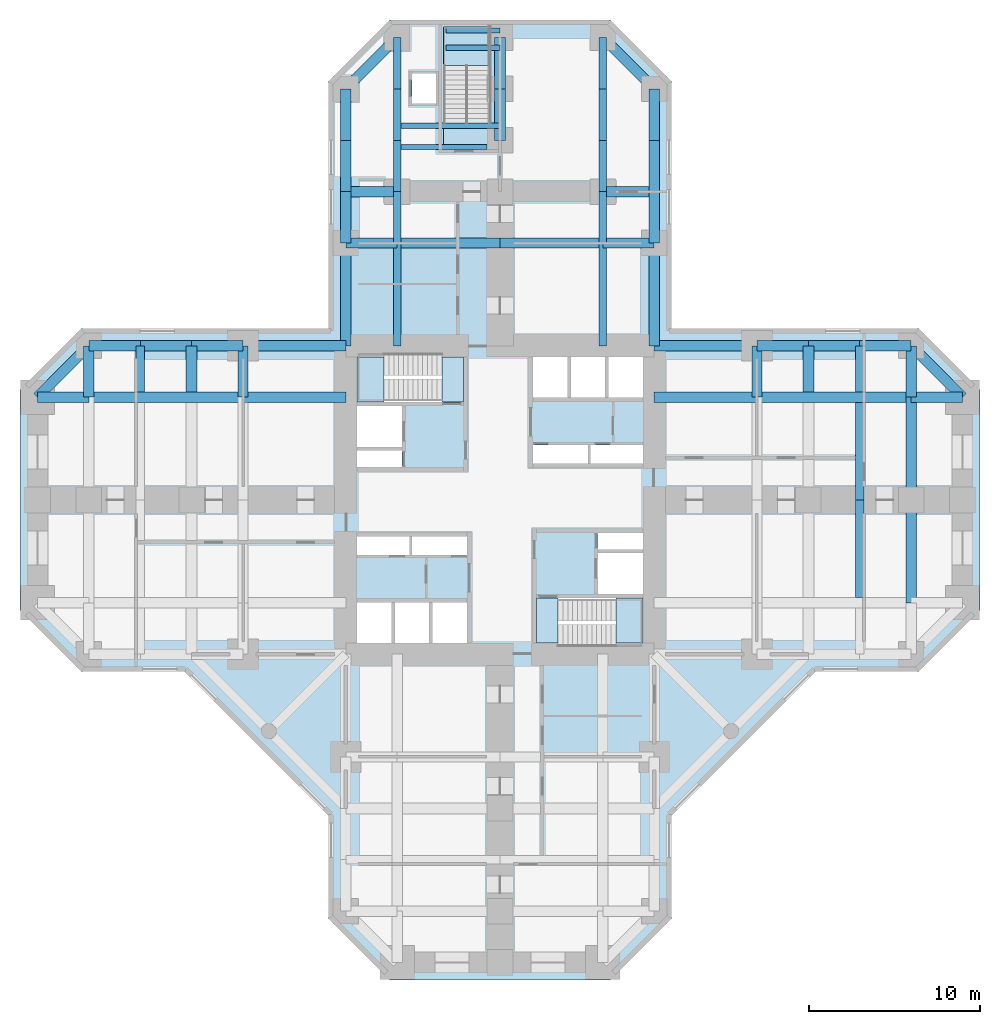
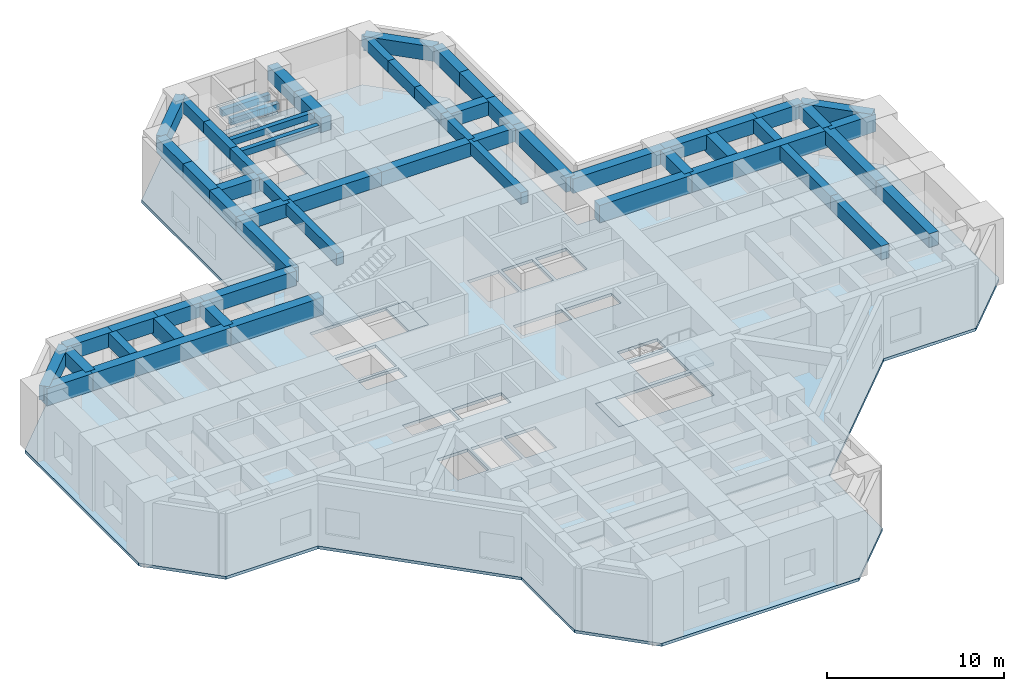
# One storey, part 2 of 8: 60 beams, 7 slabs, 3 elements without a shape of their own.
"""IFC4 building model written with IfcOpenShell, lengths in metres."""

from ifc_helpers import new_model, si_unit, direction, frame, origin, origin_2d, place, context, subcontext, project, spatial, polyline, rectangle, outline, extrude, material, layer, layer_set, material_profile, profile_set, type_object, element, aggregate, save


model = new_model("IFC4")

# Units and contexts
model_context = context("Model", 3, precision=1e-05, world=origin(), true_north=direction((0.0, 1.0)))
body_context = subcontext(model_context, "Body", "Model", "MODEL_VIEW")
ifc_project = project(units=[si_unit("LENGTHUNIT", "METRE"), si_unit("AREAUNIT", "SQUARE_METRE"), si_unit("VOLUMEUNIT", "CUBIC_METRE"), si_unit("PLANEANGLEUNIT", "RADIAN"), si_unit("MASSUNIT", "GRAM", prefix="KILO")], contexts=[model_context])

# Site, building, storey
site_placement = place(None, origin())
site = spatial("IfcSite", under=ifc_project, at=site_placement, CompositionType="ELEMENT")
building_placement = place(site_placement, origin())
building = spatial("IfcBuilding", under=site, at=building_placement, Name="Torre Cruceta", CompositionType="ELEMENT")
storey_placement = place(building_placement, frame((0.0, 0.0, 9.5)))
storey = spatial("IfcBuildingStorey", under=building, at=storey_placement, Name="L02", CompositionType="ELEMENT", Elevation=9.5)

# Beams
ifc_material_1 = material(Name="Concrete G60 (fck 60 MPa)", Category="concrete")
ifc_material_profile_1 = material_profile(ifc_material_1, rectangle(XDim=0.64990234375, YDim=1.0, at=origin_2d()), Name="RC 650X1000")
ifc_profile_set_1 = profile_set([ifc_material_profile_1], Name="Concrete G60 (fck 60 MPa)")
beam_type_1 = type_object("IfcBeamType", Name="ARM CENTRE BEAM RC 650X1000", PredefinedType="BEAM", material=ifc_profile_set_1)
for number, where, z_axis, x_axis, name in (
    (1, (0.0, 21.0, 3.800048828125), (0.0, 1.0, 0.0), (-1.0, 0.0, 0.0), "MB1 L02 N centre 1"),
    (2, (0.0, 24.0, 3.800048828125), (0.0, 1.0, 0.0), (-1.0, 0.0, 0.0), "MB1 L02 N centre 2"),
):
    element("IfcBeam", number, at=place(storey_placement, frame(where, z_axis=z_axis, x_axis=x_axis)), inside=storey, type_object=beam_type_1, Name=name, PredefinedType="BEAM", context=body_context, shape_type="SweptSolid", body=[
        extrude(rectangle(XDim=0.64990234375, YDim=1.0, at=origin_2d()), origin(), (0.0, 0.0, 1.0), 3.0),
    ])
ifc_material_2 = material(Name="Concrete G60 (fck 60 MPa)", Category="concrete")
ifc_material_profile_2 = material_profile(ifc_material_2, rectangle(XDim=0.449951171875, YDim=0.800048828125, at=origin_2d()), Name="RC 450X800")
ifc_profile_set_2 = profile_set([ifc_material_profile_2], Name="Concrete G60 (fck 60 MPa)")
beam_type_2 = type_object("IfcBeamType", Name="COLUMN LINE BEAM RC 450X800", PredefinedType="BEAM", material=ifc_profile_set_2)
beam_1_placement = place(storey_placement, frame((6.0, 9.0, 3.89990234375), z_axis=(0.0, 1.0, 0.0), x_axis=(-1.0, 0.0, 0.0)))
element("IfcBeam", 3, at=beam_1_placement, inside=storey, type_object=beam_type_2, Name="LB1 L02 N col- 1", PredefinedType="BEAM", context=body_context, shape_type="SweptSolid", body=[
    extrude(rectangle(XDim=0.449951171875, YDim=0.800048828125, at=origin_2d()), origin(), (0.0, 0.0, 1.0), 6.0),
])
for number, where, z_axis, x_axis, name in (
    (4, (6.0, 15.0, 3.89990234375), (0.0, 1.0, 0.0), (-1.0, 0.0, 0.0), "LB1 L02 N col- 2"),
    (5, (6.0, 18.0, 3.89990234375), (0.0, 1.0, 0.0), (-1.0, 0.0, 0.0), "LB1 L02 N col- 3"),
    (6, (6.0, 21.0, 3.89990234375), (0.0, 1.0, 0.0), (-1.0, 0.0, 0.0), "LB1 L02 N col- 4"),
    (7, (6.0, 24.0, 3.89990234375), (0.0, 1.0, 0.0), (-1.0, 0.0, 0.0), "LB1 L02 N col- 5"),
):
    element("IfcBeam", number, at=place(storey_placement, frame(where, z_axis=z_axis, x_axis=x_axis)), inside=storey, type_object=beam_type_2, Name=name, PredefinedType="BEAM", context=body_context, shape_type="SweptSolid", body=[
        extrude(rectangle(XDim=0.449951171875, YDim=0.800048828125, at=origin_2d()), origin(), (0.0, 0.0, 1.0), 3.0),
    ])
beam_2_placement = place(storey_placement, frame((-6.0, 9.0, 3.89990234375), z_axis=(0.0, 1.0, 0.0), x_axis=(-1.0, 0.0, 0.0)))
element("IfcBeam", 8, at=beam_2_placement, inside=storey, type_object=beam_type_2, Name="LB1 L02 N col+ 1", PredefinedType="BEAM", context=body_context, shape_type="SweptSolid", body=[
    extrude(rectangle(XDim=0.449951171875, YDim=0.800048828125, at=origin_2d()), origin(), (0.0, 0.0, 1.0), 6.0),
])
for number, where, z_axis, x_axis, name in (
    (9, (-6.0, 15.0, 3.89990234375), (0.0, 1.0, 0.0), (-1.0, 0.0, 0.0), "LB1 L02 N col+ 2"),
    (10, (-6.0, 18.0, 3.89990234375), (0.0, 1.0, 0.0), (-1.0, 0.0, 0.0), "LB1 L02 N col+ 3"),
    (11, (-6.0, 21.0, 3.89990234375), (0.0, 1.0, 0.0), (-1.0, 0.0, 0.0), "LB1 L02 N col+ 4"),
    (12, (-6.0, 24.0, 3.89990234375), (0.0, 1.0, 0.0), (-1.0, 0.0, 0.0), "LB1 L02 N col+ 5"),
):
    element("IfcBeam", number, at=place(storey_placement, frame(where, z_axis=z_axis, x_axis=x_axis)), inside=storey, type_object=beam_type_2, Name=name, PredefinedType="BEAM", context=body_context, shape_type="SweptSolid", body=[
        extrude(rectangle(XDim=0.449951171875, YDim=0.800048828125, at=origin_2d()), origin(), (0.0, 0.0, 1.0), 3.0),
    ])
ifc_material_3 = material(Name="Concrete G60 (fck 60 MPa)", Category="concrete")
ifc_material_profile_3 = material_profile(ifc_material_3, rectangle(XDim=0.60009765625, YDim=1.199951171875, at=origin_2d()), Name="RC 600X1200")
ifc_profile_set_3 = profile_set([ifc_material_profile_3], Name="Concrete G60 (fck 60 MPa)")
beam_type_3 = type_object("IfcBeamType", Name="COLUMN LINE BEAM RC 600X1200", PredefinedType="BEAM", material=ifc_profile_set_3)
beam_3_placement = place(storey_placement, frame((9.0, 6.0, 3.699951171875), z_axis=(1.0, 0.0, 0.0), x_axis=(0.0, 1.0, 0.0)))
element("IfcBeam", 13, at=beam_3_placement, inside=storey, type_object=beam_type_3, Name="LB2 L02 E col+ 1", PredefinedType="BEAM", context=body_context, shape_type="SweptSolid", body=[
    extrude(rectangle(XDim=0.60009765625, YDim=1.199951171875, at=origin_2d()), origin(), (0.0, 0.0, 1.0), 6.0),
])
beam_4_placement = place(storey_placement, frame((15.0, 6.0, 3.699951171875), z_axis=(1.0, 0.0, 0.0), x_axis=(0.0, 1.0, 0.0)))
element("IfcBeam", 14, at=beam_4_placement, inside=storey, type_object=beam_type_3, Name="LB2 L02 E col+ 2", PredefinedType="BEAM", context=body_context, shape_type="SweptSolid", body=[
    extrude(rectangle(XDim=0.60009765625, YDim=1.199951171875, at=origin_2d()), origin(), (0.0, 0.0, 1.0), 9.0),
])
beam_5_placement = place(storey_placement, frame((24.0, 6.0, 3.699951171875), z_axis=(1.0, 0.0, 0.0), x_axis=(0.0, 1.0, 0.0)))
element("IfcBeam", 15, at=beam_5_placement, inside=storey, type_object=beam_type_3, Name="LB2 L02 E col+ 5", PredefinedType="BEAM", context=body_context, shape_type="SweptSolid", body=[
    extrude(rectangle(XDim=0.60009765625, YDim=1.199951171875, at=origin_2d()), origin(), (0.0, 0.0, 1.0), 3.0),
])
beam_6_placement = place(storey_placement, frame((-9.0, 6.0, 3.699951171875), z_axis=(-1.0, 0.0, 0.0), x_axis=(0.0, -1.0, 0.0)))
element("IfcBeam", 16, at=beam_6_placement, inside=storey, type_object=beam_type_3, Name="LB2 L02 W col- 1", PredefinedType="BEAM", context=body_context, shape_type="SweptSolid", body=[
    extrude(rectangle(XDim=0.60009765625, YDim=1.199951171875, at=origin_2d()), origin(), (0.0, 0.0, 1.0), 6.0),
])
beam_7_placement = place(storey_placement, frame((-15.0, 6.0, 3.699951171875), z_axis=(-1.0, 0.0, 0.0), x_axis=(0.0, -1.0, 0.0)))
element("IfcBeam", 17, at=beam_7_placement, inside=storey, type_object=beam_type_3, Name="LB2 L02 W col- 2", PredefinedType="BEAM", context=body_context, shape_type="SweptSolid", body=[
    extrude(rectangle(XDim=0.60009765625, YDim=1.199951171875, at=origin_2d()), origin(), (0.0, 0.0, 1.0), 9.0),
])
beam_8_placement = place(storey_placement, frame((-24.0, 6.0, 3.699951171875), z_axis=(-1.0, 0.0, 0.0), x_axis=(0.0, -1.0, 0.0)))
element("IfcBeam", 18, at=beam_8_placement, inside=storey, type_object=beam_type_3, Name="LB2 L02 W col- 5", PredefinedType="BEAM", context=body_context, shape_type="SweptSolid", body=[
    extrude(rectangle(XDim=0.60009765625, YDim=1.199951171875, at=origin_2d()), origin(), (0.0, 0.0, 1.0), 3.0),
])
ifc_material_4 = material(Name="Concrete G60 (fck 60 MPa)", Category="concrete")
ifc_material_profile_4 = material_profile(ifc_material_4, rectangle(XDim=0.60009765625, YDim=0.949951171875, at=origin_2d()), Name="RC 600X950")
ifc_profile_set_4 = profile_set([ifc_material_profile_4], Name="Concrete G60 (fck 60 MPa)")
beam_type_4 = type_object("IfcBeamType", Name="CROSS BEAM RC 600X950", PredefinedType="BEAM", material=ifc_profile_set_4)
beam_9_placement = place(storey_placement, frame((9.0, 15.0, 3.824951171875), z_axis=(-1.0, 0.0, 0.0), x_axis=(0.0, -1.0, 0.0)))
element("IfcBeam", 19, at=beam_9_placement, inside=storey, type_object=beam_type_4, Name="GB1 L02 N cross15 1", PredefinedType="BEAM", context=body_context, shape_type="SweptSolid", body=[
    extrude(rectangle(XDim=0.60009765625, YDim=0.949951171875, at=origin_2d()), origin(), (0.0, 0.0, 1.0), 3.0),
])
for number, where, z_axis, x_axis, name in (
    (20, (6.0, 15.0, 3.824951171875), (-1.0, 0.0, 0.0), (0.0, -1.0, 0.0), "GB1 L02 N cross15 2"),
    (21, (0.0, 15.0, 3.824951171875), (-1.0, 0.0, 0.0), (0.0, -1.0, 0.0), "GB1 L02 N cross15 3"),
):
    element("IfcBeam", number, at=place(storey_placement, frame(where, z_axis=z_axis, x_axis=x_axis)), inside=storey, type_object=beam_type_4, Name=name, PredefinedType="BEAM", context=body_context, shape_type="SweptSolid", body=[
        extrude(rectangle(XDim=0.60009765625, YDim=0.949951171875, at=origin_2d()), origin(), (0.0, 0.0, 1.0), 6.0),
    ])
for number, where, z_axis, x_axis, name in (
    (22, (-6.0, 15.0, 3.824951171875), (-1.0, 0.0, 0.0), (0.0, -1.0, 0.0), "GB1 L02 N cross15 4"),
    (23, (9.0, 18.0, 3.824951171875), (-1.0, 0.0, 0.0), (0.0, -1.0, 0.0), "GB1 L02 N cross18 1"),
    (24, (-6.0, 18.0, 3.824951171875), (-1.0, 0.0, 0.0), (0.0, -1.0, 0.0), "GB1 L02 N cross18b 1"),
    (25, (15.0, 6.0, 3.824951171875), (0.0, 1.0, 0.0), (-1.0, 0.0, 0.0), "GB1 L02 E cross15 4"),
):
    element("IfcBeam", number, at=place(storey_placement, frame(where, z_axis=z_axis, x_axis=x_axis)), inside=storey, type_object=beam_type_4, Name=name, PredefinedType="BEAM", context=body_context, shape_type="SweptSolid", body=[
        extrude(rectangle(XDim=0.60009765625, YDim=0.949951171875, at=origin_2d()), origin(), (0.0, 0.0, 1.0), 3.0),
    ])
for number, where, z_axis, x_axis, name in (
    (26, (24.0, -6.0, 3.824951171875), (0.0, 1.0, 0.0), (-1.0, 0.0, 0.0), "GB1 L02 E cross24 2"),
    (27, (24.0, 0.0, 3.824951171875), (0.0, 1.0, 0.0), (-1.0, 0.0, 0.0), "GB1 L02 E cross24 3"),
):
    element("IfcBeam", number, at=place(storey_placement, frame(where, z_axis=z_axis, x_axis=x_axis)), inside=storey, type_object=beam_type_4, Name=name, PredefinedType="BEAM", context=body_context, shape_type="SweptSolid", body=[
        extrude(rectangle(XDim=0.60009765625, YDim=0.949951171875, at=origin_2d()), origin(), (0.0, 0.0, 1.0), 6.0),
    ])
for number, where, z_axis, x_axis, name in (
    (28, (24.0, 6.0, 3.824951171875), (0.0, 1.0, 0.0), (-1.0, 0.0, 0.0), "GB1 L02 E cross24 4"),
    (29, (-15.0, 9.0, 3.824951171875), (0.0, -1.0, 0.0), (1.0, 0.0, 0.0), "GB1 L02 W cross15 1"),
    (30, (-24.0, 9.0, 3.824951171875), (0.0, -1.0, 0.0), (1.0, 0.0, 0.0), "GB1 L02 W cross24 1"),
):
    element("IfcBeam", number, at=place(storey_placement, frame(where, z_axis=z_axis, x_axis=x_axis)), inside=storey, type_object=beam_type_4, Name=name, PredefinedType="BEAM", context=body_context, shape_type="SweptSolid", body=[
        extrude(rectangle(XDim=0.60009765625, YDim=0.949951171875, at=origin_2d()), origin(), (0.0, 0.0, 1.0), 3.0),
    ])
ifc_material_5 = material(Name="Concrete G60 (fck 60 MPa)", Category="concrete")
ifc_material_profile_5 = material_profile(ifc_material_5, rectangle(XDim=0.64990234375, YDim=1.199951171875, at=origin_2d()), Name="RC 650X1200")
ifc_profile_set_5 = profile_set([ifc_material_profile_5], Name="Concrete G60 (fck 60 MPa)")
beam_type_5 = type_object("IfcBeamType", Name="CROSS BEAM RC 650X1200", PredefinedType="BEAM", material=ifc_profile_set_5)
for number, where, z_axis, x_axis, name in (
    (31, (18.0, 6.300048828125, 3.699951171875), (0.0, 1.0, 0.0), (-1.0, 0.0, 0.0), "GB2 L02 E cross18 4"),
    (32, (-18.0, 9.0, 3.699951171875), (0.0, -1.0, 0.0), (1.0, 0.0, 0.0), "GB2 L02 W cross18 1"),
):
    element("IfcBeam", number, at=place(storey_placement, frame(where, z_axis=z_axis, x_axis=x_axis)), inside=storey, type_object=beam_type_5, Name=name, PredefinedType="BEAM", context=body_context, shape_type="SweptSolid", body=[
        extrude(rectangle(XDim=0.64990234375, YDim=1.199951171875, at=origin_2d()), origin(), (0.0, 0.0, 1.0), 2.699951171875),
    ])
ifc_material_6 = material(Name="Concrete G60 (fck 60 MPa)", Category="concrete")
ifc_material_profile_6 = material_profile(ifc_material_6, rectangle(XDim=0.5, YDim=0.949951171875, at=origin_2d()), Name="RC 500X950")
ifc_profile_set_6 = profile_set([ifc_material_profile_6], Name="Concrete G60 (fck 60 MPa)")
beam_type_6 = type_object("IfcBeamType", Name="SECONDARY BEAM RC 500X950", PredefinedType="JOIST", material=ifc_profile_set_6)
for number, where, z_axis, x_axis, name in (
    (33, (21.0, -5.699951171875, 3.824951171875), (0.0, 1.0, 0.0), (-1.0, 0.0, 0.0), "JB2 L02 E sec21 2"),
    (34, (21.0, 0.0, 3.824951171875), (0.0, 1.0, 0.0), (-1.0, 0.0, 0.0), "JB2 L02 E sec21 3"),
):
    element("IfcBeam", number, at=place(storey_placement, frame(where, z_axis=z_axis, x_axis=x_axis)), inside=storey, type_object=beam_type_6, Name=name, PredefinedType="JOIST", context=body_context, shape_type="SweptSolid", body=[
        extrude(rectangle(XDim=0.5, YDim=0.949951171875, at=origin_2d()), origin(), (0.0, 0.0, 1.0), 5.699951171875),
    ])
for number, where, z_axis, x_axis, name in (
    (35, (21.0, 6.300048828125, 3.824951171875), (0.0, 1.0, 0.0), (-1.0, 0.0, 0.0), "JB2 L02 E sec21 4"),
    (36, (-21.0, 9.0, 3.824951171875), (0.0, -1.0, 0.0), (1.0, 0.0, 0.0), "JB2 L02 W sec21 1"),
):
    element("IfcBeam", number, at=place(storey_placement, frame(where, z_axis=z_axis, x_axis=x_axis)), inside=storey, type_object=beam_type_6, Name=name, PredefinedType="JOIST", context=body_context, shape_type="SweptSolid", body=[
        extrude(rectangle(XDim=0.5, YDim=0.949951171875, at=origin_2d()), origin(), (0.0, 0.0, 1.0), 2.699951171875),
    ])
ifc_material_7 = material(Name="Concrete G60 (fck 60 MPa)", Category="concrete")
ifc_material_profile_7 = material_profile(ifc_material_7, rectangle(XDim=0.60009765625, YDim=1.0, at=origin_2d()), Name="RC 600X1000")
ifc_profile_set_7 = profile_set([ifc_material_profile_7], Name="Concrete G60 (fck 60 MPa)")
beam_type_7 = type_object("IfcBeamType", Name="SPANDREL BEAM RC 600X1000", PredefinedType="SPANDREL", material=ifc_profile_set_7)
beam_10_placement = place(storey_placement, frame((9.0, 9.0, 3.800048828125), z_axis=(0.0, 1.0, 0.0), x_axis=(-1.0, 0.0, 0.0)))
element("IfcBeam", 37, at=beam_10_placement, inside=storey, type_object=beam_type_7, Name="SB1 L02 N side- 1", PredefinedType="SPANDREL", context=body_context, shape_type="SweptSolid", body=[
    extrude(rectangle(XDim=0.60009765625, YDim=1.0, at=origin_2d()), origin(), (0.0, 0.0, 1.0), 6.0),
])
for number, where, z_axis, x_axis, name in (
    (38, (9.0, 15.0, 3.800048828125), (0.0, 1.0, 0.0), (-1.0, 0.0, 0.0), "SB1 L02 N side- 2"),
    (39, (9.0, 18.0, 3.800048828125), (0.0, 1.0, 0.0), (-1.0, 0.0, 0.0), "SB1 L02 N side- 3"),
    (40, (9.0, 21.0, 3.800048828125), (0.0, 1.0, 0.0), (-1.0, 0.0, 0.0), "SB1 L02 N side- 4"),
):
    element("IfcBeam", number, at=place(storey_placement, frame(where, z_axis=z_axis, x_axis=x_axis)), inside=storey, type_object=beam_type_7, Name=name, PredefinedType="SPANDREL", context=body_context, shape_type="SweptSolid", body=[
        extrude(rectangle(XDim=0.60009765625, YDim=1.0, at=origin_2d()), origin(), (0.0, 0.0, 1.0), 3.0),
    ])
beam_11_placement = place(storey_placement, frame((9.0, 24.0, 3.800048828125), z_axis=(-0.707106781187, 0.707106781187, 0.0), x_axis=(-0.707106781187, -0.707106781187, 0.0)))
element("IfcBeam", 41, at=beam_11_placement, inside=storey, type_object=beam_type_7, Name="SB1 L02 N side- 5", PredefinedType="SPANDREL", context=body_context, shape_type="SweptSolid", body=[
    extrude(rectangle(XDim=0.60009765625, YDim=1.0, at=origin_2d()), origin(), (0.0, 0.0, 1.0), 4.24267578125),
])
beam_12_placement = place(storey_placement, frame((-9.0, 9.0, 3.800048828125), z_axis=(0.0, 1.0, 0.0), x_axis=(-1.0, 0.0, 0.0)))
element("IfcBeam", 42, at=beam_12_placement, inside=storey, type_object=beam_type_7, Name="SB1 L02 N side+ 1", PredefinedType="SPANDREL", context=body_context, shape_type="SweptSolid", body=[
    extrude(rectangle(XDim=0.60009765625, YDim=1.0, at=origin_2d()), origin(), (0.0, 0.0, 1.0), 6.0),
])
for number, where, z_axis, x_axis, name in (
    (43, (-9.0, 15.0, 3.800048828125), (0.0, 1.0, 0.0), (-1.0, 0.0, 0.0), "SB1 L02 N side+ 2"),
    (44, (-9.0, 18.0, 3.800048828125), (0.0, 1.0, 0.0), (-1.0, 0.0, 0.0), "SB1 L02 N side+ 3"),
    (45, (-9.0, 21.0, 3.800048828125), (0.0, 1.0, 0.0), (-1.0, 0.0, 0.0), "SB1 L02 N side+ 4"),
):
    element("IfcBeam", number, at=place(storey_placement, frame(where, z_axis=z_axis, x_axis=x_axis)), inside=storey, type_object=beam_type_7, Name=name, PredefinedType="SPANDREL", context=body_context, shape_type="SweptSolid", body=[
        extrude(rectangle(XDim=0.60009765625, YDim=1.0, at=origin_2d()), origin(), (0.0, 0.0, 1.0), 3.0),
    ])
beam_13_placement = place(storey_placement, frame((-9.0, 24.0, 3.800048828125), z_axis=(0.707106781187, 0.707106781187, 0.0), x_axis=(-0.707106781187, 0.707106781187, 0.0)))
element("IfcBeam", 46, at=beam_13_placement, inside=storey, type_object=beam_type_7, Name="SB1 L02 N side+ 5", PredefinedType="SPANDREL", context=body_context, shape_type="SweptSolid", body=[
    extrude(rectangle(XDim=0.60009765625, YDim=1.0, at=origin_2d()), origin(), (0.0, 0.0, 1.0), 4.24267578125),
])
beam_14_placement = place(storey_placement, frame((9.0, 9.0, 3.800048828125), z_axis=(1.0, 0.0, 0.0), x_axis=(0.0, 1.0, 0.0)))
element("IfcBeam", 47, at=beam_14_placement, inside=storey, type_object=beam_type_7, Name="SB1 L02 E side+ 1", PredefinedType="SPANDREL", context=body_context, shape_type="SweptSolid", body=[
    extrude(rectangle(XDim=0.60009765625, YDim=1.0, at=origin_2d()), origin(), (0.0, 0.0, 1.0), 6.0),
])
for number, where, z_axis, x_axis, name in (
    (48, (15.0, 9.0, 3.800048828125), (1.0, 0.0, 0.0), (0.0, 1.0, 0.0), "SB1 L02 E side+ 2"),
    (49, (18.0, 9.0, 3.800048828125), (1.0, 0.0, 0.0), (0.0, 1.0, 0.0), "SB1 L02 E side+ 3"),
    (50, (21.0, 9.0, 3.800048828125), (1.0, 0.0, 0.0), (0.0, 1.0, 0.0), "SB1 L02 E side+ 4"),
):
    element("IfcBeam", number, at=place(storey_placement, frame(where, z_axis=z_axis, x_axis=x_axis)), inside=storey, type_object=beam_type_7, Name=name, PredefinedType="SPANDREL", context=body_context, shape_type="SweptSolid", body=[
        extrude(rectangle(XDim=0.60009765625, YDim=1.0, at=origin_2d()), origin(), (0.0, 0.0, 1.0), 3.0),
    ])
beam_15_placement = place(storey_placement, frame((24.0, 9.0, 3.800048828125), z_axis=(0.707106781187, -0.707106781187, 0.0), x_axis=(0.707106781187, 0.707106781187, 0.0)))
element("IfcBeam", 51, at=beam_15_placement, inside=storey, type_object=beam_type_7, Name="SB1 L02 E side+ 5", PredefinedType="SPANDREL", context=body_context, shape_type="SweptSolid", body=[
    extrude(rectangle(XDim=0.60009765625, YDim=1.0, at=origin_2d()), origin(), (0.0, 0.0, 1.0), 4.24267578125),
])
beam_16_placement = place(storey_placement, frame((-9.0, 9.0, 3.800048828125), z_axis=(-1.0, 0.0, 0.0), x_axis=(0.0, -1.0, 0.0)))
element("IfcBeam", 52, at=beam_16_placement, inside=storey, type_object=beam_type_7, Name="SB1 L02 W side- 1", PredefinedType="SPANDREL", context=body_context, shape_type="SweptSolid", body=[
    extrude(rectangle(XDim=0.60009765625, YDim=1.0, at=origin_2d()), origin(), (0.0, 0.0, 1.0), 6.0),
])
for number, where, z_axis, x_axis, name in (
    (53, (-15.0, 9.0, 3.800048828125), (-1.0, 0.0, 0.0), (0.0, -1.0, 0.0), "SB1 L02 W side- 2"),
    (54, (-18.0, 9.0, 3.800048828125), (-1.0, 0.0, 0.0), (0.0, -1.0, 0.0), "SB1 L02 W side- 3"),
    (55, (-21.0, 9.0, 3.800048828125), (-1.0, 0.0, 0.0), (0.0, -1.0, 0.0), "SB1 L02 W side- 4"),
):
    element("IfcBeam", number, at=place(storey_placement, frame(where, z_axis=z_axis, x_axis=x_axis)), inside=storey, type_object=beam_type_7, Name=name, PredefinedType="SPANDREL", context=body_context, shape_type="SweptSolid", body=[
        extrude(rectangle(XDim=0.60009765625, YDim=1.0, at=origin_2d()), origin(), (0.0, 0.0, 1.0), 3.0),
    ])
beam_17_placement = place(storey_placement, frame((-24.0, 9.0, 3.800048828125), z_axis=(-0.707106781187, -0.707106781187, 0.0), x_axis=(0.707106781187, -0.707106781187, 0.0)))
element("IfcBeam", 56, at=beam_17_placement, inside=storey, type_object=beam_type_7, Name="SB1 L02 W side- 5", PredefinedType="SPANDREL", context=body_context, shape_type="SweptSolid", body=[
    extrude(rectangle(XDim=0.60009765625, YDim=1.0, at=origin_2d()), origin(), (0.0, 0.0, 1.0), 4.24267578125),
])
ifc_material_8 = material(Name="Concrete G60 (fck 60 MPa)", Category="concrete")
ifc_material_profile_8 = material_profile(ifc_material_8, rectangle(XDim=0.300048828125, YDim=0.449951171875, at=origin_2d()), Name="RC 300X450")
ifc_profile_set_8 = profile_set([ifc_material_profile_8], Name="Concrete G60 (fck 60 MPa)")
beam_type_8 = type_object("IfcBeamType", Name="STAIR TRIMMER BEAM RC 300X450", PredefinedType="BEAM", material=ifc_profile_set_8)
for number, where, z_axis, x_axis, name in (
    (57, (0.0, 26.39990234375, 1.824951171875), (-1.0, 0.0, 0.0), (0.0, -1.0, 0.0), "TB1 stair landing beam ST3 L02 1"),
    (58, (0.0, 27.39990234375, 1.824951171875), (-1.0, 0.0, 0.0), (0.0, -1.0, 0.0), "TB1 stair landing beam ST3 L02 2"),
):
    element("IfcBeam", number, at=place(storey_placement, frame(where, z_axis=z_axis, x_axis=x_axis)), inside=storey, type_object=beam_type_8, Name=name, PredefinedType="BEAM", context=body_context, shape_type="SweptSolid", body=[
        extrude(rectangle(XDim=0.300048828125, YDim=0.449951171875, at=origin_2d()), origin(), (0.0, 0.0, 1.0), 3.14990234375),
    ])
beam_18_placement = place(storey_placement, frame((-0.75, 20.60009765625, 4.074951171875), z_axis=(-1.0, 0.0, 0.0), x_axis=(0.0, -1.0, 0.0)))
element("IfcBeam", 59, at=beam_18_placement, inside=storey, type_object=beam_type_8, Name="TB1 stair trimmer beam ST3 L03 1", PredefinedType="BEAM", context=body_context, shape_type="SweptSolid", body=[
    extrude(rectangle(XDim=0.300048828125, YDim=0.449951171875, at=origin_2d()), origin(), (0.0, 0.0, 1.0), 5.25),
])
beam_19_placement = place(storey_placement, frame((0.0, 21.85009765625, 4.074951171875), z_axis=(-1.0, 0.0, 0.0), x_axis=(0.0, -1.0, 0.0)))
element("IfcBeam", 60, at=beam_19_placement, inside=storey, type_object=beam_type_8, Name="TB1 stair trimmer beam ST3 L03 2", PredefinedType="BEAM", context=body_context, shape_type="SweptSolid", body=[
    extrude(rectangle(XDim=0.300048828125, YDim=0.449951171875, at=origin_2d()), origin(), (0.0, 0.0, 1.0), 6.0),
])

# Slab
ifc_material_9 = material(Name="Concrete G35 (fck 35 MPa)", Category="concrete")
ifc_layer_1 = layer(ifc_material_9, 0.199951171875)
ifc_layer_set_1 = layer_set([ifc_layer_1], Name="Concrete G35 (fck 35 MPa)")
slab_type_1 = type_object("IfcSlabType", Name="FLOOR SLAB 200", PredefinedType="FLOOR", material=ifc_layer_set_1)
slab_1_placement = place(storey_placement, frame((0.0, 0.0, -0.199951171875)))
element("IfcSlab", 61, at=slab_1_placement, inside=storey, type_object=slab_type_1, Name="Floor Slab L02", PredefinedType="FLOOR", context=body_context, shape_type="SweptSolid", body=[
    extrude(outline(polyline([(18.422607421875, -10.02001953125), (10.02001953125, -18.422607421875), (10.02001953125, -24.422607421875), (6.422607421875, -28.02001953125), (-6.422607421875, -28.02001953125), (-10.02001953125, -24.422607421875), (-10.02001953125, -18.422607421875), (-18.422607421875, -10.02001953125), (-24.422607421875, -10.02001953125), (-28.02001953125, -6.422607421875), (-28.02001953125, 6.422607421875), (-24.422607421875, 10.02001953125), (-10.02001953125, 10.02001953125), (-10.02001953125, 24.422607421875), (-6.422607421875, 28.02001953125), (6.422607421875, 28.02001953125), (10.02001953125, 24.422607421875), (10.02001953125, 10.02001953125), (24.422607421875, 10.02001953125), (28.02001953125, 6.422607421875), (28.02001953125, -6.422607421875), (24.422607421875, -10.02001953125), (18.422607421875, -10.02001953125)]), holes=[polyline([(1.925048828125, 5.97509765625), (3.933349609375, 5.97509765625), (3.933349609375, 8.35009765625), (1.925048828125, 8.35009765625), (1.925048828125, 5.97509765625)]), polyline([(4.13330078125, 5.97509765625), (6.1416015625, 5.97509765625), (6.1416015625, 8.35009765625), (4.13330078125, 8.35009765625), (4.13330078125, 5.97509765625)]), polyline([(6.341552734375, 5.97509765625), (8.35009765625, 5.97509765625), (8.35009765625, 8.35009765625), (6.341552734375, 8.35009765625), (6.341552734375, 5.97509765625)]), polyline([(1.925048828125, 2.125), (5.125, 2.125), (5.125, 3.22509765625), (1.925048828125, 3.22509765625), (1.925048828125, 2.125)]), polyline([(5.27490234375, 2.125), (8.35009765625, 2.125), (8.35009765625, 3.22509765625), (5.27490234375, 3.22509765625), (5.27490234375, 2.125)]), polyline([(-8.35009765625, 3.10009765625), (-5.72509765625, 3.10009765625), (-5.72509765625, 5.47509765625), (-8.35009765625, 5.47509765625), (-8.35009765625, 3.10009765625)]), polyline([(-8.35009765625, 1.925048828125), (-5.72509765625, 1.925048828125), (-5.72509765625, 2.89990234375), (-8.35009765625, 2.89990234375), (-8.35009765625, 1.925048828125)]), polyline([(-3.933349609375, -8.35009765625), (-1.925048828125, -8.35009765625), (-1.925048828125, -5.97509765625), (-3.933349609375, -5.97509765625), (-3.933349609375, -8.35009765625)]), polyline([(-6.1416015625, -8.35009765625), (-4.13330078125, -8.35009765625), (-4.13330078125, -5.97509765625), (-6.1416015625, -5.97509765625), (-6.1416015625, -8.35009765625)]), polyline([(-8.35009765625, -8.35009765625), (-6.341552734375, -8.35009765625), (-6.341552734375, -5.97509765625), (-8.35009765625, -5.97509765625), (-8.35009765625, -8.35009765625)]), polyline([(-5.125, -3.22509765625), (-1.925048828125, -3.22509765625), (-1.925048828125, -2.125), (-5.125, -2.125), (-5.125, -3.22509765625)]), polyline([(-8.35009765625, -3.22509765625), (-5.27490234375, -3.22509765625), (-5.27490234375, -2.125), (-8.35009765625, -2.125), (-8.35009765625, -3.22509765625)]), polyline([(5.72509765625, -5.47509765625), (8.35009765625, -5.47509765625), (8.35009765625, -3.10009765625), (5.72509765625, -3.10009765625), (5.72509765625, -5.47509765625)]), polyline([(5.72509765625, -2.89990234375), (8.35009765625, -2.89990234375), (8.35009765625, -1.925048828125), (5.72509765625, -1.925048828125), (5.72509765625, -2.89990234375)]), polyline([(-8.35009765625, 5.72509765625), (-8.35009765625, 8.35009765625), (-3.39990234375, 8.35009765625), (-2.125, 8.35009765625), (-2.125, 5.72509765625), (-3.39990234375, 5.72509765625), (-8.35009765625, 5.72509765625)]), polyline([(2.125, -5.72509765625), (3.39990234375, -5.72509765625), (8.35009765625, -5.72509765625), (8.35009765625, -8.35009765625), (3.39990234375, -8.35009765625), (2.125, -8.35009765625), (2.125, -5.72509765625)]), polyline([(-0.60009765625, 20.449951171875), (-0.60009765625, 27.6201171875), (-3.300048828125, 27.6201171875), (-3.300048828125, 20.449951171875), (-0.60009765625, 20.449951171875)]), polyline([(-3.75, 23.14990234375), (-3.75, 24.89990234375), (-5.14990234375, 24.89990234375), (-5.14990234375, 23.14990234375), (-3.75, 23.14990234375)])]), origin(), (0.0, 0.0, 1.0), 0.199951171875),
])

# Stair, slab
ifc_material_10 = material(Name="Concrete G30 (fck 30 MPa)", Category="concrete")
stair_type = type_object("IfcStairType", Name="STAIR HALF-TURN 1300", PredefinedType="HALF_TURN_STAIR", material=ifc_material_10)
stair_1_placement = place(storey_placement, origin())
stair_1 = element("IfcStair", 62, at=stair_1_placement, inside=storey, type_object=stair_type, Name="Stair ST1 L02", PredefinedType="HALF_TURN_STAIR")
ifc_material_11 = material(Name="Concrete G30 (fck 30 MPa)", Category="concrete")
ifc_layer_2 = layer(ifc_material_11, 0.199951171875)
ifc_layer_set_2 = layer_set([ifc_layer_2], Name="Concrete G30 (fck 30 MPa)")
slab_type_2 = type_object("IfcSlabType", Name="STAIR LANDING 200", PredefinedType="LANDING", material=ifc_layer_set_2)
slab_2_placement = place(storey_placement, frame((0.0, 0.0, 2.050048828125)))
slab_2 = element("IfcSlab", 63, at=slab_2_placement, type_object=slab_type_2, Name="ST1 landing 1", PredefinedType="LANDING", context=body_context, shape_type="SweptSolid", body=[
    extrude(outline(polyline([(-8.35009765625, 5.72509765625), (-6.760009765625, 5.72509765625), (-6.760009765625, 8.35009765625), (-8.35009765625, 8.35009765625), (-8.35009765625, 5.72509765625)])), origin(), (0.0, 0.0, 1.0), 0.199951171875),
])
aggregate(stair_1, [slab_2])

stair_2_placement = place(storey_placement, origin())
stair_2 = element("IfcStair", 64, at=stair_2_placement, inside=storey, type_object=stair_type, Name="Stair ST2 L02", PredefinedType="HALF_TURN_STAIR")
slab_3_placement = place(storey_placement, frame((0.0, 0.0, 2.050048828125)))
slab_3 = element("IfcSlab", 65, at=slab_3_placement, type_object=slab_type_2, Name="ST2 landing 1", PredefinedType="LANDING", context=body_context, shape_type="SweptSolid", body=[
    extrude(outline(polyline([(6.760009765625, -8.35009765625), (8.35009765625, -8.35009765625), (8.35009765625, -5.72509765625), (6.760009765625, -5.72509765625), (6.760009765625, -8.35009765625)])), origin(), (0.0, 0.0, 1.0), 0.199951171875),
])
aggregate(stair_2, [slab_3])

# Slabs
slab_4_placement = place(storey_placement, frame((0.0, 0.0, -0.199951171875)))
element("IfcSlab", 66, at=slab_4_placement, inside=storey, type_object=slab_type_2, Name="Stair ST1 floor landing L02", PredefinedType="LANDING", context=body_context, shape_type="SweptSolid", body=[
    extrude(outline(polyline([(-2.125, 8.35009765625), (-2.125, 5.72509765625), (-3.39990234375, 5.72509765625), (-3.39990234375, 8.35009765625), (-2.125, 8.35009765625)])), origin(), (0.0, 0.0, 1.0), 0.199951171875),
])
slab_5_placement = place(storey_placement, frame((0.0, 0.0, -0.199951171875)))
element("IfcSlab", 67, at=slab_5_placement, inside=storey, type_object=slab_type_2, Name="Stair ST2 floor landing L02", PredefinedType="LANDING", context=body_context, shape_type="SweptSolid", body=[
    extrude(outline(polyline([(2.125, -8.35009765625), (2.125, -5.72509765625), (3.39990234375, -5.72509765625), (3.39990234375, -8.35009765625), (2.125, -8.35009765625)])), origin(), (0.0, 0.0, 1.0), 0.199951171875),
])

# Stair, slab
stair_3_placement = place(storey_placement, origin())
stair_3 = element("IfcStair", 68, at=stair_3_placement, inside=storey, type_object=stair_type, Name="Stair ST3 L02", PredefinedType="HALF_TURN_STAIR")
slab_6_placement = place(storey_placement, frame((0.0, 0.0, 2.050048828125)))
slab_6 = element("IfcSlab", 69, at=slab_6_placement, type_object=slab_type_2, Name="ST3 landing 1", PredefinedType="LANDING", context=body_context, shape_type="SweptSolid", body=[
    extrude(outline(polyline([(-0.60009765625, 25.360107421875), (-0.60009765625, 27.6201171875), (-3.300048828125, 27.6201171875), (-3.300048828125, 25.360107421875), (-0.60009765625, 25.360107421875)])), origin(), (0.0, 0.0, 1.0), 0.199951171875),
])
aggregate(stair_3, [slab_6])

# Slab
slab_7_placement = place(storey_placement, frame((0.0, 0.0, -0.199951171875)))
element("IfcSlab", 70, at=slab_7_placement, inside=storey, type_object=slab_type_2, Name="Stair ST3 floor landing L02", PredefinedType="LANDING", context=body_context, shape_type="SweptSolid", body=[
    extrude(outline(polyline([(-0.60009765625, 20.449951171875), (-0.60009765625, 22.0), (-3.300048828125, 22.0), (-3.300048828125, 20.449951171875), (-0.60009765625, 20.449951171875)])), origin(), (0.0, 0.0, 1.0), 0.199951171875),
])

save(model, "model.ifc")
